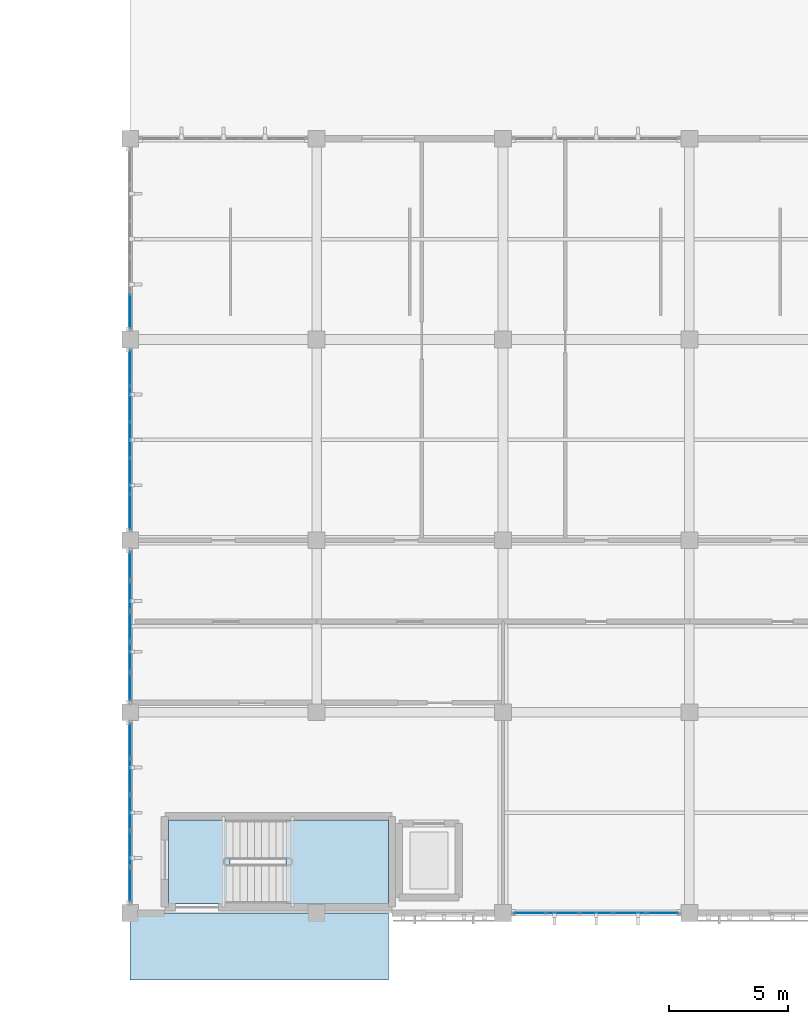
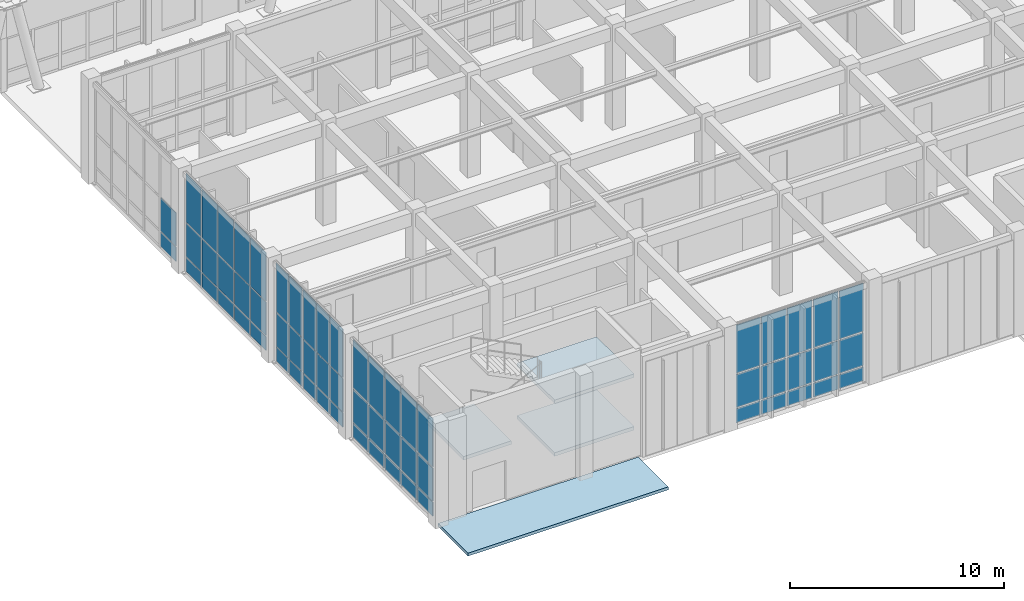
# One storey, part 57 of 110: 62 plates, 4 slabs, 6 elements without a shape of their own.
"""IFC4 building model written with IfcOpenShell, lengths in metres."""

from ifc_helpers import new_model, si_unit, direction, frame, origin, origin_2d, place, context, subcontext, project, spatial, polyline, rectangle, outline, extrude, material, layer, layer_set, type_object, element, aggregate, save


model = new_model("IFC4")

# Units and contexts
model_context = context("Model", 3, precision=1e-05, world=origin(), true_north=direction((0.0, 1.0)))
body_context = subcontext(model_context, "Body", "Model", "MODEL_VIEW")
ifc_project = project(units=[si_unit("LENGTHUNIT", "METRE"), si_unit("AREAUNIT", "SQUARE_METRE"), si_unit("VOLUMEUNIT", "CUBIC_METRE"), si_unit("PLANEANGLEUNIT", "RADIAN"), si_unit("MASSUNIT", "GRAM", prefix="KILO")], contexts=[model_context])

# Site, building, storey
site_placement = place(None, origin())
site = spatial("IfcSite", under=ifc_project, at=site_placement, CompositionType="ELEMENT")
building_placement = place(site_placement, origin())
building = spatial("IfcBuilding", under=site, at=building_placement, Name="Tizgana Railside Sports Hall", CompositionType="ELEMENT")
storey_placement = place(building_placement, origin())
storey = spatial("IfcBuildingStorey", under=building, at=storey_placement, Name="L00", CompositionType="ELEMENT", Elevation=0.0)

# Curtain wall, plates
ifc_material_1 = material(Name="Anodised aluminium and glass", Category="aluminium")
curtain_wall_type_1 = type_object("IfcCurtainWallType", Name="Unitised Curtain Wall Passage 1800", PredefinedType="NOTDEFINED", material=ifc_material_1)
curtain_wall_1_placement = place(storey_placement, origin())
curtain_wall_1 = element("IfcCurtainWall", 1, at=curtain_wall_1_placement, inside=storey, type_object=curtain_wall_type_1, Name="L00 Curtain Wall CW-0085", PredefinedType="NOTDEFINED")
ifc_material_2 = material(Name="Double low-E laminated glass", Category="glass")
ifc_layer_1 = layer(ifc_material_2, 0.033935546875, Name="Double low-E laminated glass")
ifc_layer_set_1 = layer_set([ifc_layer_1], Name="Double low-E laminated glass")
plate_type_1 = type_object("IfcPlateType", Name="Acoustic Laminated Glazing Panel 34", PredefinedType="CURTAIN_PANEL", material=ifc_layer_set_1)
plate_1_placement = place(storey_placement, frame((7.800048828125, 25.178955078125, 0.10498046875), z_axis=(0.0, 0.0, 1.0), x_axis=(0.0, -1.0, 0.0)))
plate_1 = element("IfcPlate", 2, at=plate_1_placement, type_object=plate_type_1, Name="CW-06 panel 5.1", PredefinedType="CURTAIN_PANEL", context=body_context, shape_type="SweptSolid", body=[
    extrude(rectangle(XDim=1.427978515625, YDim=0.033935546875, at=origin_2d()), origin(), (0.0, 0.0, 1.0), 0.81005859375),
])
plate_2_placement = place(storey_placement, frame((7.800048828125, 25.178955078125, 0.974853515625), z_axis=(0.0, 0.0, 1.0), x_axis=(0.0, -1.0, 0.0)))
plate_2 = element("IfcPlate", 3, at=plate_2_placement, type_object=plate_type_1, Name="CW-06 panel 5.2", PredefinedType="CURTAIN_PANEL", context=body_context, shape_type="SweptSolid", body=[
    extrude(rectangle(XDim=1.427978515625, YDim=0.033935546875, at=origin_2d()), origin(), (0.0, 0.0, 1.0), 1.892578125),
])
aggregate(curtain_wall_1, [plate_1, plate_2])

# Stair, slabs
ifc_material_3 = material(Name="Concrete C35/45", Category="concrete")
stair_type = type_object("IfcStairType", Name="Core Protected Stair 1500", PredefinedType="HALF_TURN_STAIR", material=ifc_material_3)
stair_placement = place(storey_placement, origin())
stair = element("IfcStair", 4, at=stair_placement, inside=storey, type_object=stair_type, Name="L00 Core Stair ST-01", PredefinedType="HALF_TURN_STAIR")
ifc_layer_2 = layer(ifc_material_3, 0.199951171875, Name="Concrete C35/45")
ifc_layer_set_2 = layer_set([ifc_layer_2], Name="Concrete C35/45")
slab_type_1 = type_object("IfcSlabType", Name="Core Stair Landing Slab 200", PredefinedType="LANDING", material=ifc_layer_set_2)
slab_1_placement = place(storey_placement, frame((0.0, 0.0, 1.300048828125)))
slab_1 = element("IfcSlab", 5, at=slab_1_placement, type_object=slab_type_1, Name="ST-01 landing 1", PredefinedType="LANDING", context=body_context, shape_type="SweptSolid", body=[
    extrude(outline(polyline([(14.320068359375, 0.39990234375), (18.60009765625, 0.39990234375), (18.60009765625, 3.89990234375), (14.320068359375, 3.89990234375), (14.320068359375, 0.39990234375)])), origin(), (0.0, 0.0, 1.0), 0.199951171875),
])
slab_2_placement = place(storey_placement, frame((0.0, 0.0, 2.800048828125)))
slab_2 = element("IfcSlab", 6, at=slab_2_placement, type_object=slab_type_1, Name="ST-01 landing 2", PredefinedType="LANDING", context=body_context, shape_type="SweptSolid", body=[
    extrude(outline(polyline([(9.39990234375, 0.39990234375), (11.97998046875, 0.39990234375), (11.97998046875, 3.89990234375), (9.39990234375, 3.89990234375), (9.39990234375, 0.39990234375)])), origin(), (0.0, 0.0, 1.0), 0.199951171875),
])
slab_3_placement = place(storey_placement, frame((0.0, 0.0, 4.300048828125)))
slab_3 = element("IfcSlab", 7, at=slab_3_placement, type_object=slab_type_1, Name="ST-01 landing 3", PredefinedType="LANDING", context=body_context, shape_type="SweptSolid", body=[
    extrude(outline(polyline([(14.320068359375, 0.39990234375), (18.60009765625, 0.39990234375), (18.60009765625, 3.89990234375), (14.320068359375, 3.89990234375), (14.320068359375, 0.39990234375)])), origin(), (0.0, 0.0, 1.0), 0.199951171875),
])
aggregate(stair, [slab_1, slab_2, slab_3])

# Slab
ifc_layer_3 = layer(ifc_material_3, 0.169921875, Name="Concrete C35/45")
ifc_layer_set_3 = layer_set([ifc_layer_3], Name="Concrete C35/45")
slab_type_2 = type_object("IfcSlabType", Name="Entrance Canopy & Apron Deck 170", PredefinedType="FLOOR", material=ifc_layer_set_3)
slab_4_placement = place(storey_placement, frame((0.0, 0.0, -0.169921875)))
element("IfcSlab", 8, at=slab_4_placement, inside=storey, type_object=slab_type_2, Name="L00 Boulevard Exit Apron 0 APR-0008", PredefinedType="FLOOR", context=body_context, shape_type="SweptSolid", body=[
    extrude(outline(polyline([(7.800048828125, -2.800048828125), (18.60009765625, -2.800048828125), (18.60009765625, 0.0), (7.800048828125, 0.0), (7.800048828125, -2.800048828125)])), origin(), (0.0, 0.0, 1.0), 0.169921875),
])

# Curtain wall, plates
curtain_wall_type_2 = type_object("IfcCurtainWallType", Name="Unitised Curtain Wall Studio 1400", PredefinedType="NOTDEFINED", material=ifc_material_1)
curtain_wall_2_placement = place(storey_placement, origin())
curtain_wall_2 = element("IfcCurtainWall", 9, at=curtain_wall_2_placement, inside=storey, type_object=curtain_wall_type_2, Name="L00 Curtain Wall CW-0082", PredefinedType="NOTDEFINED")
ifc_layer_4 = layer(ifc_material_2, 0.0400390625, Name="Double low-E laminated glass")
ifc_layer_set_4 = layer_set([ifc_layer_4], Name="Double low-E laminated glass")
plate_type_2 = type_object("IfcPlateType", Name="High-Span Tempered Glazing Panel 40", PredefinedType="CURTAIN_PANEL", material=ifc_layer_set_4)
plate_3_placement = place(storey_placement, frame((7.800048828125, 7.218505859375, 0.114990234375), z_axis=(0.0, 0.0, 1.0), x_axis=(0.0, -1.0, 0.0)))
plate_3 = element("IfcPlate", 10, at=plate_3_placement, type_object=plate_type_2, Name="CW-03 panel 1.1", PredefinedType="CURTAIN_PANEL", context=body_context, shape_type="SweptSolid", body=[
    extrude(rectangle(XDim=1.4130859375, YDim=0.0400390625, at=origin_2d()), origin(), (0.0, 0.0, 1.0), 0.794921875),
])
plate_4_placement = place(storey_placement, frame((7.800048828125, 7.218505859375, 0.97998046875), z_axis=(0.0, 0.0, 1.0), x_axis=(0.0, -1.0, 0.0)))
plate_4 = element("IfcPlate", 11, at=plate_4_placement, type_object=plate_type_2, Name="CW-03 panel 1.2", PredefinedType="CURTAIN_PANEL", context=body_context, shape_type="SweptSolid", body=[
    extrude(rectangle(XDim=1.4130859375, YDim=0.0400390625, at=origin_2d()), origin(), (0.0, 0.0, 1.0), 1.882568359375),
])
plate_5_placement = place(storey_placement, frame((7.800048828125, 7.218505859375, 2.932373046875), z_axis=(0.0, 0.0, 1.0), x_axis=(0.0, -1.0, 0.0)))
plate_5 = element("IfcPlate", 12, at=plate_5_placement, type_object=plate_type_2, Name="CW-03 panel 1.3", PredefinedType="CURTAIN_PANEL", context=body_context, shape_type="SweptSolid", body=[
    extrude(rectangle(XDim=1.4130859375, YDim=0.0400390625, at=origin_2d()), origin(), (0.0, 0.0, 1.0), 2.74755859375),
])
plate_6_placement = place(storey_placement, frame((7.800048828125, 5.718017578125, 0.114990234375), z_axis=(0.0, 0.0, 1.0), x_axis=(0.0, -1.0, 0.0)))
plate_6 = element("IfcPlate", 13, at=plate_6_placement, type_object=plate_type_2, Name="CW-03 panel 2.1", PredefinedType="CURTAIN_PANEL", context=body_context, shape_type="SweptSolid", body=[
    extrude(rectangle(XDim=1.447998046875, YDim=0.0400390625, at=origin_2d()), origin(), (0.0, 0.0, 1.0), 0.794921875),
])
plate_7_placement = place(storey_placement, frame((7.800048828125, 5.718017578125, 0.97998046875), z_axis=(0.0, 0.0, 1.0), x_axis=(0.0, -1.0, 0.0)))
plate_7 = element("IfcPlate", 14, at=plate_7_placement, type_object=plate_type_2, Name="CW-03 panel 2.2", PredefinedType="CURTAIN_PANEL", context=body_context, shape_type="SweptSolid", body=[
    extrude(rectangle(XDim=1.447998046875, YDim=0.0400390625, at=origin_2d()), origin(), (0.0, 0.0, 1.0), 1.882568359375),
])
plate_8_placement = place(storey_placement, frame((7.800048828125, 5.718017578125, 2.932373046875), z_axis=(0.0, 0.0, 1.0), x_axis=(0.0, -1.0, 0.0)))
plate_8 = element("IfcPlate", 15, at=plate_8_placement, type_object=plate_type_2, Name="CW-03 panel 2.3", PredefinedType="CURTAIN_PANEL", context=body_context, shape_type="SweptSolid", body=[
    extrude(rectangle(XDim=1.447998046875, YDim=0.0400390625, at=origin_2d()), origin(), (0.0, 0.0, 1.0), 2.74755859375),
])
plate_9_placement = place(storey_placement, frame((7.800048828125, 4.199951171875, 0.114990234375), z_axis=(0.0, 0.0, 1.0), x_axis=(0.0, -1.0, 0.0)))
plate_9 = element("IfcPlate", 16, at=plate_9_placement, type_object=plate_type_2, Name="CW-03 panel 3.1", PredefinedType="CURTAIN_PANEL", context=body_context, shape_type="SweptSolid", body=[
    extrude(rectangle(XDim=1.447998046875, YDim=0.0400390625, at=origin_2d()), origin(), (0.0, 0.0, 1.0), 0.794921875),
])
plate_10_placement = place(storey_placement, frame((7.800048828125, 4.199951171875, 0.97998046875), z_axis=(0.0, 0.0, 1.0), x_axis=(0.0, -1.0, 0.0)))
plate_10 = element("IfcPlate", 17, at=plate_10_placement, type_object=plate_type_2, Name="CW-03 panel 3.2", PredefinedType="CURTAIN_PANEL", context=body_context, shape_type="SweptSolid", body=[
    extrude(rectangle(XDim=1.447998046875, YDim=0.0400390625, at=origin_2d()), origin(), (0.0, 0.0, 1.0), 1.882568359375),
])
plate_11_placement = place(storey_placement, frame((7.800048828125, 4.199951171875, 2.932373046875), z_axis=(0.0, 0.0, 1.0), x_axis=(0.0, -1.0, 0.0)))
plate_11 = element("IfcPlate", 18, at=plate_11_placement, type_object=plate_type_2, Name="CW-03 panel 3.3", PredefinedType="CURTAIN_PANEL", context=body_context, shape_type="SweptSolid", body=[
    extrude(rectangle(XDim=1.447998046875, YDim=0.0400390625, at=origin_2d()), origin(), (0.0, 0.0, 1.0), 2.74755859375),
])
plate_12_placement = place(storey_placement, frame((7.800048828125, 2.681884765625, 0.114990234375), z_axis=(0.0, 0.0, 1.0), x_axis=(0.0, -1.0, 0.0)))
plate_12 = element("IfcPlate", 19, at=plate_12_placement, type_object=plate_type_2, Name="CW-03 panel 4.1", PredefinedType="CURTAIN_PANEL", context=body_context, shape_type="SweptSolid", body=[
    extrude(rectangle(XDim=1.447998046875, YDim=0.0400390625, at=origin_2d()), origin(), (0.0, 0.0, 1.0), 0.794921875),
])
plate_13_placement = place(storey_placement, frame((7.800048828125, 2.681884765625, 0.97998046875), z_axis=(0.0, 0.0, 1.0), x_axis=(0.0, -1.0, 0.0)))
plate_13 = element("IfcPlate", 20, at=plate_13_placement, type_object=plate_type_2, Name="CW-03 panel 4.2", PredefinedType="CURTAIN_PANEL", context=body_context, shape_type="SweptSolid", body=[
    extrude(rectangle(XDim=1.447998046875, YDim=0.0400390625, at=origin_2d()), origin(), (0.0, 0.0, 1.0), 1.882568359375),
])
plate_14_placement = place(storey_placement, frame((7.800048828125, 2.681884765625, 2.932373046875), z_axis=(0.0, 0.0, 1.0), x_axis=(0.0, -1.0, 0.0)))
plate_14 = element("IfcPlate", 21, at=plate_14_placement, type_object=plate_type_2, Name="CW-03 panel 4.3", PredefinedType="CURTAIN_PANEL", context=body_context, shape_type="SweptSolid", body=[
    extrude(rectangle(XDim=1.447998046875, YDim=0.0400390625, at=origin_2d()), origin(), (0.0, 0.0, 1.0), 2.74755859375),
])
plate_15_placement = place(storey_placement, frame((7.800048828125, 1.181396484375, 0.114990234375), z_axis=(0.0, 0.0, 1.0), x_axis=(0.0, -1.0, 0.0)))
plate_15 = element("IfcPlate", 22, at=plate_15_placement, type_object=plate_type_2, Name="CW-03 panel 5.1", PredefinedType="CURTAIN_PANEL", context=body_context, shape_type="SweptSolid", body=[
    extrude(rectangle(XDim=1.4130859375, YDim=0.0400390625, at=origin_2d()), origin(), (0.0, 0.0, 1.0), 0.794921875),
])
plate_16_placement = place(storey_placement, frame((7.800048828125, 1.181396484375, 0.97998046875), z_axis=(0.0, 0.0, 1.0), x_axis=(0.0, -1.0, 0.0)))
plate_16 = element("IfcPlate", 23, at=plate_16_placement, type_object=plate_type_2, Name="CW-03 panel 5.2", PredefinedType="CURTAIN_PANEL", context=body_context, shape_type="SweptSolid", body=[
    extrude(rectangle(XDim=1.4130859375, YDim=0.0400390625, at=origin_2d()), origin(), (0.0, 0.0, 1.0), 1.882568359375),
])
plate_17_placement = place(storey_placement, frame((7.800048828125, 1.181396484375, 2.932373046875), z_axis=(0.0, 0.0, 1.0), x_axis=(0.0, -1.0, 0.0)))
plate_17 = element("IfcPlate", 24, at=plate_17_placement, type_object=plate_type_2, Name="CW-03 panel 5.3", PredefinedType="CURTAIN_PANEL", context=body_context, shape_type="SweptSolid", body=[
    extrude(rectangle(XDim=1.4130859375, YDim=0.0400390625, at=origin_2d()), origin(), (0.0, 0.0, 1.0), 2.74755859375),
])
aggregate(curtain_wall_2, [plate_3, plate_4, plate_5, plate_6, plate_7, plate_8, plate_9, plate_10, plate_11, plate_12, plate_13, plate_14, plate_15, plate_16, plate_17])

curtain_wall_type_3 = type_object("IfcCurtainWallType", Name="Unitised Curtain Wall Climbing 1600", PredefinedType="NOTDEFINED", material=ifc_material_1)
curtain_wall_3_placement = place(storey_placement, origin())
curtain_wall_3 = element("IfcCurtainWall", 25, at=curtain_wall_3_placement, inside=storey, type_object=curtain_wall_type_3, Name="L00 Curtain Wall CW-0075", PredefinedType="NOTDEFINED")
ifc_layer_5 = layer(ifc_material_2, 0.031982421875, Name="Double low-E laminated glass")
ifc_layer_set_5 = layer_set([ifc_layer_5], Name="Double low-E laminated glass")
plate_type_3 = type_object("IfcPlateType", Name="North-Light Clerestory Glazing Panel 32", PredefinedType="CURTAIN_PANEL", material=ifc_layer_set_5)
plate_18_placement = place(storey_placement, frame((30.079833984375, 0.0, 0.10986328125), z_axis=(0.0, 0.0, 1.0), x_axis=(-1.0, 0.0, 0.0)))
plate_18 = element("IfcPlate", 26, at=plate_18_placement, type_object=plate_type_3, Name="CW-04 panel 1.1", PredefinedType="CURTAIN_PANEL", context=body_context, shape_type="SweptSolid", body=[
    extrude(rectangle(XDim=1.300537109375, YDim=0.031982421875, at=origin_2d()), origin(), (0.0, 0.0, 1.0), 0.802490234375),
])
plate_19_placement = place(storey_placement, frame((30.079833984375, 0.0, 0.9775390625), z_axis=(0.0, 0.0, 1.0), x_axis=(-1.0, 0.0, 0.0)))
plate_19 = element("IfcPlate", 27, at=plate_19_placement, type_object=plate_type_3, Name="CW-04 panel 1.2", PredefinedType="CURTAIN_PANEL", context=body_context, shape_type="SweptSolid", body=[
    extrude(rectangle(XDim=1.300537109375, YDim=0.031982421875, at=origin_2d()), origin(), (0.0, 0.0, 1.0), 1.887451171875),
])
plate_20_placement = place(storey_placement, frame((30.079833984375, 0.0, 2.93017578125), z_axis=(0.0, 0.0, 1.0), x_axis=(-1.0, 0.0, 0.0)))
plate_20 = element("IfcPlate", 28, at=plate_20_placement, type_object=plate_type_3, Name="CW-04 panel 1.3", PredefinedType="CURTAIN_PANEL", context=body_context, shape_type="SweptSolid", body=[
    extrude(rectangle(XDim=1.300537109375, YDim=0.031982421875, at=origin_2d()), origin(), (0.0, 0.0, 1.0), 2.7548828125),
])
plate_21_placement = place(storey_placement, frame((28.697998046875, 0.0, 0.10986328125), z_axis=(0.0, 0.0, 1.0), x_axis=(-1.0, 0.0, 0.0)))
plate_21 = element("IfcPlate", 29, at=plate_21_placement, type_object=plate_type_3, Name="CW-04 panel 2.1", PredefinedType="CURTAIN_PANEL", context=body_context, shape_type="SweptSolid", body=[
    extrude(rectangle(XDim=1.3330078125, YDim=0.031982421875, at=origin_2d()), origin(), (0.0, 0.0, 1.0), 0.802490234375),
])
plate_22_placement = place(storey_placement, frame((28.697998046875, 0.0, 0.9775390625), z_axis=(0.0, 0.0, 1.0), x_axis=(-1.0, 0.0, 0.0)))
plate_22 = element("IfcPlate", 30, at=plate_22_placement, type_object=plate_type_3, Name="CW-04 panel 2.2", PredefinedType="CURTAIN_PANEL", context=body_context, shape_type="SweptSolid", body=[
    extrude(rectangle(XDim=1.3330078125, YDim=0.031982421875, at=origin_2d()), origin(), (0.0, 0.0, 1.0), 1.887451171875),
])
plate_23_placement = place(storey_placement, frame((28.697998046875, 0.0, 2.93017578125), z_axis=(0.0, 0.0, 1.0), x_axis=(-1.0, 0.0, 0.0)))
plate_23 = element("IfcPlate", 31, at=plate_23_placement, type_object=plate_type_3, Name="CW-04 panel 2.3", PredefinedType="CURTAIN_PANEL", context=body_context, shape_type="SweptSolid", body=[
    extrude(rectangle(XDim=1.3330078125, YDim=0.031982421875, at=origin_2d()), origin(), (0.0, 0.0, 1.0), 2.7548828125),
])
plate_24_placement = place(storey_placement, frame((27.300048828125, 0.0, 0.10986328125), z_axis=(0.0, 0.0, 1.0), x_axis=(-1.0, 0.0, 0.0)))
plate_24 = element("IfcPlate", 32, at=plate_24_placement, type_object=plate_type_3, Name="CW-04 panel 3.1", PredefinedType="CURTAIN_PANEL", context=body_context, shape_type="SweptSolid", body=[
    extrude(rectangle(XDim=1.3330078125, YDim=0.031982421875, at=origin_2d()), origin(), (0.0, 0.0, 1.0), 0.802490234375),
])
plate_25_placement = place(storey_placement, frame((27.300048828125, 0.0, 0.9775390625), z_axis=(0.0, 0.0, 1.0), x_axis=(-1.0, 0.0, 0.0)))
plate_25 = element("IfcPlate", 33, at=plate_25_placement, type_object=plate_type_3, Name="CW-04 panel 3.2", PredefinedType="CURTAIN_PANEL", context=body_context, shape_type="SweptSolid", body=[
    extrude(rectangle(XDim=1.3330078125, YDim=0.031982421875, at=origin_2d()), origin(), (0.0, 0.0, 1.0), 1.887451171875),
])
plate_26_placement = place(storey_placement, frame((27.300048828125, 0.0, 2.93017578125), z_axis=(0.0, 0.0, 1.0), x_axis=(-1.0, 0.0, 0.0)))
plate_26 = element("IfcPlate", 34, at=plate_26_placement, type_object=plate_type_3, Name="CW-04 panel 3.3", PredefinedType="CURTAIN_PANEL", context=body_context, shape_type="SweptSolid", body=[
    extrude(rectangle(XDim=1.3330078125, YDim=0.031982421875, at=origin_2d()), origin(), (0.0, 0.0, 1.0), 2.7548828125),
])
plate_27_placement = place(storey_placement, frame((25.902099609375, 0.0, 0.10986328125), z_axis=(0.0, 0.0, 1.0), x_axis=(-1.0, 0.0, 0.0)))
plate_27 = element("IfcPlate", 35, at=plate_27_placement, type_object=plate_type_3, Name="CW-04 panel 4.1", PredefinedType="CURTAIN_PANEL", context=body_context, shape_type="SweptSolid", body=[
    extrude(rectangle(XDim=1.3330078125, YDim=0.031982421875, at=origin_2d()), origin(), (0.0, 0.0, 1.0), 0.802490234375),
])
plate_28_placement = place(storey_placement, frame((25.902099609375, 0.0, 0.9775390625), z_axis=(0.0, 0.0, 1.0), x_axis=(-1.0, 0.0, 0.0)))
plate_28 = element("IfcPlate", 36, at=plate_28_placement, type_object=plate_type_3, Name="CW-04 panel 4.2", PredefinedType="CURTAIN_PANEL", context=body_context, shape_type="SweptSolid", body=[
    extrude(rectangle(XDim=1.3330078125, YDim=0.031982421875, at=origin_2d()), origin(), (0.0, 0.0, 1.0), 1.887451171875),
])
plate_29_placement = place(storey_placement, frame((25.902099609375, 0.0, 2.93017578125), z_axis=(0.0, 0.0, 1.0), x_axis=(-1.0, 0.0, 0.0)))
plate_29 = element("IfcPlate", 37, at=plate_29_placement, type_object=plate_type_3, Name="CW-04 panel 4.3", PredefinedType="CURTAIN_PANEL", context=body_context, shape_type="SweptSolid", body=[
    extrude(rectangle(XDim=1.3330078125, YDim=0.031982421875, at=origin_2d()), origin(), (0.0, 0.0, 1.0), 2.7548828125),
])
plate_30_placement = place(storey_placement, frame((24.520263671875, 0.0, 0.10986328125), z_axis=(0.0, 0.0, 1.0), x_axis=(-1.0, 0.0, 0.0)))
plate_30 = element("IfcPlate", 38, at=plate_30_placement, type_object=plate_type_3, Name="CW-04 panel 5.1", PredefinedType="CURTAIN_PANEL", context=body_context, shape_type="SweptSolid", body=[
    extrude(rectangle(XDim=1.300537109375, YDim=0.031982421875, at=origin_2d()), origin(), (0.0, 0.0, 1.0), 0.802490234375),
])
plate_31_placement = place(storey_placement, frame((24.520263671875, 0.0, 0.9775390625), z_axis=(0.0, 0.0, 1.0), x_axis=(-1.0, 0.0, 0.0)))
plate_31 = element("IfcPlate", 39, at=plate_31_placement, type_object=plate_type_3, Name="CW-04 panel 5.2", PredefinedType="CURTAIN_PANEL", context=body_context, shape_type="SweptSolid", body=[
    extrude(rectangle(XDim=1.300537109375, YDim=0.031982421875, at=origin_2d()), origin(), (0.0, 0.0, 1.0), 1.887451171875),
])
plate_32_placement = place(storey_placement, frame((24.520263671875, 0.0, 2.93017578125), z_axis=(0.0, 0.0, 1.0), x_axis=(-1.0, 0.0, 0.0)))
plate_32 = element("IfcPlate", 40, at=plate_32_placement, type_object=plate_type_3, Name="CW-04 panel 5.3", PredefinedType="CURTAIN_PANEL", context=body_context, shape_type="SweptSolid", body=[
    extrude(rectangle(XDim=1.300537109375, YDim=0.031982421875, at=origin_2d()), origin(), (0.0, 0.0, 1.0), 2.7548828125),
])
aggregate(curtain_wall_3, [plate_18, plate_19, plate_20, plate_21, plate_22, plate_23, plate_24, plate_25, plate_26, plate_27, plate_28, plate_29, plate_30, plate_31, plate_32])

curtain_wall_4_placement = place(storey_placement, origin())
curtain_wall_4 = element("IfcCurtainWall", 41, at=curtain_wall_4_placement, inside=storey, type_object=curtain_wall_type_3, Name="L00 Curtain Wall CW-0083", PredefinedType="NOTDEFINED")
plate_33_placement = place(storey_placement, frame((7.800048828125, 14.537353515625, 0.10009765625), z_axis=(0.0, 0.0, 1.0), x_axis=(0.0, -1.0, 0.0)))
plate_33 = element("IfcPlate", 42, at=plate_33_placement, type_object=plate_type_3, Name="CW-04 panel 1.1", PredefinedType="CURTAIN_PANEL", context=body_context, shape_type="SweptSolid", body=[
    extrude(rectangle(XDim=1.16552734375, YDim=0.031982421875, at=origin_2d()), origin(), (0.0, 0.0, 1.0), 0.8173828125),
])
plate_34_placement = place(storey_placement, frame((7.800048828125, 14.537353515625, 0.972412109375), z_axis=(0.0, 0.0, 1.0), x_axis=(0.0, -1.0, 0.0)))
plate_34 = element("IfcPlate", 43, at=plate_34_placement, type_object=plate_type_3, Name="CW-04 panel 1.2", PredefinedType="CURTAIN_PANEL", context=body_context, shape_type="SweptSolid", body=[
    extrude(rectangle(XDim=1.16552734375, YDim=0.031982421875, at=origin_2d()), origin(), (0.0, 0.0, 1.0), 1.8974609375),
])
plate_35_placement = place(storey_placement, frame((7.800048828125, 14.537353515625, 2.925048828125), z_axis=(0.0, 0.0, 1.0), x_axis=(0.0, -1.0, 0.0)))
plate_35 = element("IfcPlate", 44, at=plate_35_placement, type_object=plate_type_3, Name="CW-04 panel 1.3", PredefinedType="CURTAIN_PANEL", context=body_context, shape_type="SweptSolid", body=[
    extrude(rectangle(XDim=1.16552734375, YDim=0.031982421875, at=origin_2d()), origin(), (0.0, 0.0, 1.0), 2.77001953125),
])
plate_36_placement = place(storey_placement, frame((7.800048828125, 13.278076171875, 0.10009765625), z_axis=(0.0, 0.0, 1.0), x_axis=(0.0, -1.0, 0.0)))
plate_36 = element("IfcPlate", 45, at=plate_36_placement, type_object=plate_type_3, Name="CW-04 panel 2.1", PredefinedType="CURTAIN_PANEL", context=body_context, shape_type="SweptSolid", body=[
    extrude(rectangle(XDim=1.202880859375, YDim=0.031982421875, at=origin_2d()), origin(), (0.0, 0.0, 1.0), 0.8173828125),
])
plate_37_placement = place(storey_placement, frame((7.800048828125, 13.278076171875, 0.972412109375), z_axis=(0.0, 0.0, 1.0), x_axis=(0.0, -1.0, 0.0)))
plate_37 = element("IfcPlate", 46, at=plate_37_placement, type_object=plate_type_3, Name="CW-04 panel 2.2", PredefinedType="CURTAIN_PANEL", context=body_context, shape_type="SweptSolid", body=[
    extrude(rectangle(XDim=1.202880859375, YDim=0.031982421875, at=origin_2d()), origin(), (0.0, 0.0, 1.0), 1.8974609375),
])
plate_38_placement = place(storey_placement, frame((7.800048828125, 13.278076171875, 2.925048828125), z_axis=(0.0, 0.0, 1.0), x_axis=(0.0, -1.0, 0.0)))
plate_38 = element("IfcPlate", 47, at=plate_38_placement, type_object=plate_type_3, Name="CW-04 panel 2.3", PredefinedType="CURTAIN_PANEL", context=body_context, shape_type="SweptSolid", body=[
    extrude(rectangle(XDim=1.202880859375, YDim=0.031982421875, at=origin_2d()), origin(), (0.0, 0.0, 1.0), 2.77001953125),
])
plate_39_placement = place(storey_placement, frame((7.800048828125, 12.0, 0.10009765625), z_axis=(0.0, 0.0, 1.0), x_axis=(0.0, -1.0, 0.0)))
plate_39 = element("IfcPlate", 48, at=plate_39_placement, type_object=plate_type_3, Name="CW-04 panel 3.1", PredefinedType="CURTAIN_PANEL", context=body_context, shape_type="SweptSolid", body=[
    extrude(rectangle(XDim=1.202880859375, YDim=0.031982421875, at=origin_2d()), origin(), (0.0, 0.0, 1.0), 0.8173828125),
])
plate_40_placement = place(storey_placement, frame((7.800048828125, 12.0, 0.972412109375), z_axis=(0.0, 0.0, 1.0), x_axis=(0.0, -1.0, 0.0)))
plate_40 = element("IfcPlate", 49, at=plate_40_placement, type_object=plate_type_3, Name="CW-04 panel 3.2", PredefinedType="CURTAIN_PANEL", context=body_context, shape_type="SweptSolid", body=[
    extrude(rectangle(XDim=1.202880859375, YDim=0.031982421875, at=origin_2d()), origin(), (0.0, 0.0, 1.0), 1.8974609375),
])
plate_41_placement = place(storey_placement, frame((7.800048828125, 12.0, 2.925048828125), z_axis=(0.0, 0.0, 1.0), x_axis=(0.0, -1.0, 0.0)))
plate_41 = element("IfcPlate", 50, at=plate_41_placement, type_object=plate_type_3, Name="CW-04 panel 3.3", PredefinedType="CURTAIN_PANEL", context=body_context, shape_type="SweptSolid", body=[
    extrude(rectangle(XDim=1.202880859375, YDim=0.031982421875, at=origin_2d()), origin(), (0.0, 0.0, 1.0), 2.77001953125),
])
plate_42_placement = place(storey_placement, frame((7.800048828125, 10.721923828125, 0.10009765625), z_axis=(0.0, 0.0, 1.0), x_axis=(0.0, -1.0, 0.0)))
plate_42 = element("IfcPlate", 51, at=plate_42_placement, type_object=plate_type_3, Name="CW-04 panel 4.1", PredefinedType="CURTAIN_PANEL", context=body_context, shape_type="SweptSolid", body=[
    extrude(rectangle(XDim=1.202880859375, YDim=0.031982421875, at=origin_2d()), origin(), (0.0, 0.0, 1.0), 0.8173828125),
])
plate_43_placement = place(storey_placement, frame((7.800048828125, 10.721923828125, 0.972412109375), z_axis=(0.0, 0.0, 1.0), x_axis=(0.0, -1.0, 0.0)))
plate_43 = element("IfcPlate", 52, at=plate_43_placement, type_object=plate_type_3, Name="CW-04 panel 4.2", PredefinedType="CURTAIN_PANEL", context=body_context, shape_type="SweptSolid", body=[
    extrude(rectangle(XDim=1.202880859375, YDim=0.031982421875, at=origin_2d()), origin(), (0.0, 0.0, 1.0), 1.8974609375),
])
plate_44_placement = place(storey_placement, frame((7.800048828125, 10.721923828125, 2.925048828125), z_axis=(0.0, 0.0, 1.0), x_axis=(0.0, -1.0, 0.0)))
plate_44 = element("IfcPlate", 53, at=plate_44_placement, type_object=plate_type_3, Name="CW-04 panel 4.3", PredefinedType="CURTAIN_PANEL", context=body_context, shape_type="SweptSolid", body=[
    extrude(rectangle(XDim=1.202880859375, YDim=0.031982421875, at=origin_2d()), origin(), (0.0, 0.0, 1.0), 2.77001953125),
])
plate_45_placement = place(storey_placement, frame((7.800048828125, 9.462646484375, 0.10009765625), z_axis=(0.0, 0.0, 1.0), x_axis=(0.0, -1.0, 0.0)))
plate_45 = element("IfcPlate", 54, at=plate_45_placement, type_object=plate_type_3, Name="CW-04 panel 5.1", PredefinedType="CURTAIN_PANEL", context=body_context, shape_type="SweptSolid", body=[
    extrude(rectangle(XDim=1.16552734375, YDim=0.031982421875, at=origin_2d()), origin(), (0.0, 0.0, 1.0), 0.8173828125),
])
plate_46_placement = place(storey_placement, frame((7.800048828125, 9.462646484375, 0.972412109375), z_axis=(0.0, 0.0, 1.0), x_axis=(0.0, -1.0, 0.0)))
plate_46 = element("IfcPlate", 55, at=plate_46_placement, type_object=plate_type_3, Name="CW-04 panel 5.2", PredefinedType="CURTAIN_PANEL", context=body_context, shape_type="SweptSolid", body=[
    extrude(rectangle(XDim=1.16552734375, YDim=0.031982421875, at=origin_2d()), origin(), (0.0, 0.0, 1.0), 1.8974609375),
])
plate_47_placement = place(storey_placement, frame((7.800048828125, 9.462646484375, 2.925048828125), z_axis=(0.0, 0.0, 1.0), x_axis=(0.0, -1.0, 0.0)))
plate_47 = element("IfcPlate", 56, at=plate_47_placement, type_object=plate_type_3, Name="CW-04 panel 5.3", PredefinedType="CURTAIN_PANEL", context=body_context, shape_type="SweptSolid", body=[
    extrude(rectangle(XDim=1.16552734375, YDim=0.031982421875, at=origin_2d()), origin(), (0.0, 0.0, 1.0), 2.77001953125),
])
aggregate(curtain_wall_4, [plate_33, plate_34, plate_35, plate_36, plate_37, plate_38, plate_39, plate_40, plate_41, plate_42, plate_43, plate_44, plate_45, plate_46, plate_47])

curtain_wall_type_4 = type_object("IfcCurtainWallType", Name="Unitised Curtain Wall Clinic 1200", PredefinedType="NOTDEFINED", material=ifc_material_1)
curtain_wall_5_placement = place(storey_placement, origin())
curtain_wall_5 = element("IfcCurtainWall", 57, at=curtain_wall_5_placement, inside=storey, type_object=curtain_wall_type_4, Name="L00 Curtain Wall CW-0084", PredefinedType="NOTDEFINED")
ifc_layer_6 = layer(ifc_material_2, 0.028076171875, Name="Double low-E laminated glass")
ifc_layer_set_6 = layer_set([ifc_layer_6], Name="Double low-E laminated glass")
plate_type_4 = type_object("IfcPlateType", Name="Solar Low-E Glazing Panel 28", PredefinedType="CURTAIN_PANEL", material=ifc_layer_set_6)
plate_48_placement = place(storey_placement, frame((7.800048828125, 22.821044921875, 0.10498046875), z_axis=(0.0, 0.0, 1.0), x_axis=(0.0, -1.0, 0.0)))
plate_48 = element("IfcPlate", 58, at=plate_48_placement, type_object=plate_type_4, Name="CW-05 panel 1.1", PredefinedType="CURTAIN_PANEL", context=body_context, shape_type="SweptSolid", body=[
    extrude(rectangle(XDim=1.427978515625, YDim=0.028076171875, at=origin_2d()), origin(), (0.0, 0.0, 1.0), 0.81005859375),
])
plate_49_placement = place(storey_placement, frame((7.800048828125, 22.821044921875, 0.974853515625), z_axis=(0.0, 0.0, 1.0), x_axis=(0.0, -1.0, 0.0)))
plate_49 = element("IfcPlate", 59, at=plate_49_placement, type_object=plate_type_4, Name="CW-05 panel 1.2", PredefinedType="CURTAIN_PANEL", context=body_context, shape_type="SweptSolid", body=[
    extrude(rectangle(XDim=1.427978515625, YDim=0.028076171875, at=origin_2d()), origin(), (0.0, 0.0, 1.0), 1.892578125),
])
plate_50_placement = place(storey_placement, frame((7.800048828125, 22.821044921875, 2.927734375), z_axis=(0.0, 0.0, 1.0), x_axis=(0.0, -1.0, 0.0)))
plate_50 = element("IfcPlate", 60, at=plate_50_placement, type_object=plate_type_4, Name="CW-05 panel 1.3", PredefinedType="CURTAIN_PANEL", context=body_context, shape_type="SweptSolid", body=[
    extrude(rectangle(XDim=1.427978515625, YDim=0.028076171875, at=origin_2d()), origin(), (0.0, 0.0, 1.0), 2.762451171875),
])
plate_51_placement = place(storey_placement, frame((7.800048828125, 21.318115234375, 0.10498046875), z_axis=(0.0, 0.0, 1.0), x_axis=(0.0, -1.0, 0.0)))
plate_51 = element("IfcPlate", 61, at=plate_51_placement, type_object=plate_type_4, Name="CW-05 panel 2.1", PredefinedType="CURTAIN_PANEL", context=body_context, shape_type="SweptSolid", body=[
    extrude(rectangle(XDim=1.4580078125, YDim=0.028076171875, at=origin_2d()), origin(), (0.0, 0.0, 1.0), 0.81005859375),
])
plate_52_placement = place(storey_placement, frame((7.800048828125, 21.318115234375, 0.974853515625), z_axis=(0.0, 0.0, 1.0), x_axis=(0.0, -1.0, 0.0)))
plate_52 = element("IfcPlate", 62, at=plate_52_placement, type_object=plate_type_4, Name="CW-05 panel 2.2", PredefinedType="CURTAIN_PANEL", context=body_context, shape_type="SweptSolid", body=[
    extrude(rectangle(XDim=1.4580078125, YDim=0.028076171875, at=origin_2d()), origin(), (0.0, 0.0, 1.0), 1.892578125),
])
plate_53_placement = place(storey_placement, frame((7.800048828125, 21.318115234375, 2.927734375), z_axis=(0.0, 0.0, 1.0), x_axis=(0.0, -1.0, 0.0)))
plate_53 = element("IfcPlate", 63, at=plate_53_placement, type_object=plate_type_4, Name="CW-05 panel 2.3", PredefinedType="CURTAIN_PANEL", context=body_context, shape_type="SweptSolid", body=[
    extrude(rectangle(XDim=1.4580078125, YDim=0.028076171875, at=origin_2d()), origin(), (0.0, 0.0, 1.0), 2.762451171875),
])
plate_54_placement = place(storey_placement, frame((7.800048828125, 19.800048828125, 0.10498046875), z_axis=(0.0, 0.0, 1.0), x_axis=(0.0, -1.0, 0.0)))
plate_54 = element("IfcPlate", 64, at=plate_54_placement, type_object=plate_type_4, Name="CW-05 panel 3.1", PredefinedType="CURTAIN_PANEL", context=body_context, shape_type="SweptSolid", body=[
    extrude(rectangle(XDim=1.4580078125, YDim=0.028076171875, at=origin_2d()), origin(), (0.0, 0.0, 1.0), 0.81005859375),
])
plate_55_placement = place(storey_placement, frame((7.800048828125, 19.800048828125, 0.974853515625), z_axis=(0.0, 0.0, 1.0), x_axis=(0.0, -1.0, 0.0)))
plate_55 = element("IfcPlate", 65, at=plate_55_placement, type_object=plate_type_4, Name="CW-05 panel 3.2", PredefinedType="CURTAIN_PANEL", context=body_context, shape_type="SweptSolid", body=[
    extrude(rectangle(XDim=1.4580078125, YDim=0.028076171875, at=origin_2d()), origin(), (0.0, 0.0, 1.0), 1.892578125),
])
plate_56_placement = place(storey_placement, frame((7.800048828125, 19.800048828125, 2.927734375), z_axis=(0.0, 0.0, 1.0), x_axis=(0.0, -1.0, 0.0)))
plate_56 = element("IfcPlate", 66, at=plate_56_placement, type_object=plate_type_4, Name="CW-05 panel 3.3", PredefinedType="CURTAIN_PANEL", context=body_context, shape_type="SweptSolid", body=[
    extrude(rectangle(XDim=1.4580078125, YDim=0.028076171875, at=origin_2d()), origin(), (0.0, 0.0, 1.0), 2.762451171875),
])
plate_57_placement = place(storey_placement, frame((7.800048828125, 18.281982421875, 0.10498046875), z_axis=(0.0, 0.0, 1.0), x_axis=(0.0, -1.0, 0.0)))
plate_57 = element("IfcPlate", 67, at=plate_57_placement, type_object=plate_type_4, Name="CW-05 panel 4.1", PredefinedType="CURTAIN_PANEL", context=body_context, shape_type="SweptSolid", body=[
    extrude(rectangle(XDim=1.4580078125, YDim=0.028076171875, at=origin_2d()), origin(), (0.0, 0.0, 1.0), 0.81005859375),
])
plate_58_placement = place(storey_placement, frame((7.800048828125, 18.281982421875, 0.974853515625), z_axis=(0.0, 0.0, 1.0), x_axis=(0.0, -1.0, 0.0)))
plate_58 = element("IfcPlate", 68, at=plate_58_placement, type_object=plate_type_4, Name="CW-05 panel 4.2", PredefinedType="CURTAIN_PANEL", context=body_context, shape_type="SweptSolid", body=[
    extrude(rectangle(XDim=1.4580078125, YDim=0.028076171875, at=origin_2d()), origin(), (0.0, 0.0, 1.0), 1.892578125),
])
plate_59_placement = place(storey_placement, frame((7.800048828125, 18.281982421875, 2.927734375), z_axis=(0.0, 0.0, 1.0), x_axis=(0.0, -1.0, 0.0)))
plate_59 = element("IfcPlate", 69, at=plate_59_placement, type_object=plate_type_4, Name="CW-05 panel 4.3", PredefinedType="CURTAIN_PANEL", context=body_context, shape_type="SweptSolid", body=[
    extrude(rectangle(XDim=1.4580078125, YDim=0.028076171875, at=origin_2d()), origin(), (0.0, 0.0, 1.0), 2.762451171875),
])
plate_60_placement = place(storey_placement, frame((7.800048828125, 16.779052734375, 0.10498046875), z_axis=(0.0, 0.0, 1.0), x_axis=(0.0, -1.0, 0.0)))
plate_60 = element("IfcPlate", 70, at=plate_60_placement, type_object=plate_type_4, Name="CW-05 panel 5.1", PredefinedType="CURTAIN_PANEL", context=body_context, shape_type="SweptSolid", body=[
    extrude(rectangle(XDim=1.427978515625, YDim=0.028076171875, at=origin_2d()), origin(), (0.0, 0.0, 1.0), 0.81005859375),
])
plate_61_placement = place(storey_placement, frame((7.800048828125, 16.779052734375, 0.974853515625), z_axis=(0.0, 0.0, 1.0), x_axis=(0.0, -1.0, 0.0)))
plate_61 = element("IfcPlate", 71, at=plate_61_placement, type_object=plate_type_4, Name="CW-05 panel 5.2", PredefinedType="CURTAIN_PANEL", context=body_context, shape_type="SweptSolid", body=[
    extrude(rectangle(XDim=1.427978515625, YDim=0.028076171875, at=origin_2d()), origin(), (0.0, 0.0, 1.0), 1.892578125),
])
plate_62_placement = place(storey_placement, frame((7.800048828125, 16.779052734375, 2.927734375), z_axis=(0.0, 0.0, 1.0), x_axis=(0.0, -1.0, 0.0)))
plate_62 = element("IfcPlate", 72, at=plate_62_placement, type_object=plate_type_4, Name="CW-05 panel 5.3", PredefinedType="CURTAIN_PANEL", context=body_context, shape_type="SweptSolid", body=[
    extrude(rectangle(XDim=1.427978515625, YDim=0.028076171875, at=origin_2d()), origin(), (0.0, 0.0, 1.0), 2.762451171875),
])
aggregate(curtain_wall_5, [plate_48, plate_49, plate_50, plate_51, plate_52, plate_53, plate_54, plate_55, plate_56, plate_57, plate_58, plate_59, plate_60, plate_61, plate_62])

save(model, "model.ifc")
